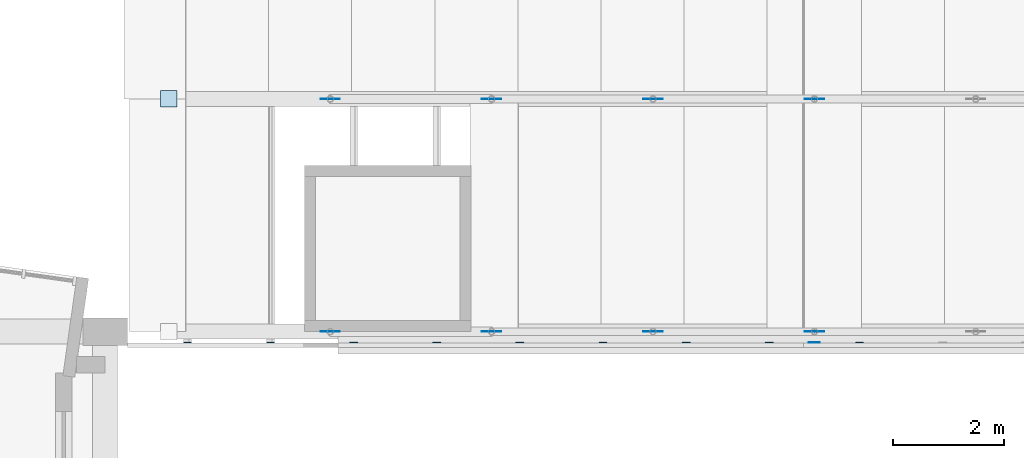
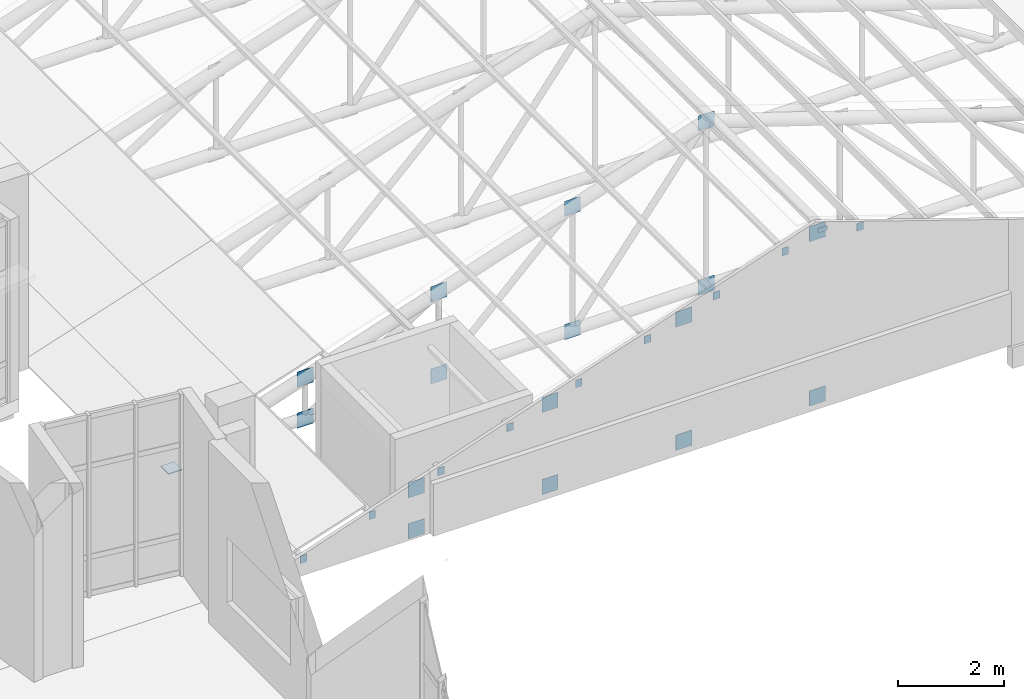
# One storey, part 74 of 95: 27 plates.
"""IFC4 building model written with IfcOpenShell, lengths in metres."""

from ifc_helpers import new_model, si_unit, direction, frame, origin, origin_2d, place, context, subcontext, project, spatial, rectangle, extrude, material, layer, layer_set, type_object, element, save


model = new_model("IFC4")

# Units and contexts
model_context = context("Model", 3, precision=1e-05, world=origin(), true_north=direction((0.0, 1.0)))
body_context = subcontext(model_context, "Body", "Model", "MODEL_VIEW")
ifc_project = project(units=[si_unit("LENGTHUNIT", "METRE"), si_unit("AREAUNIT", "SQUARE_METRE"), si_unit("VOLUMEUNIT", "CUBIC_METRE"), si_unit("PLANEANGLEUNIT", "RADIAN"), si_unit("MASSUNIT", "GRAM", prefix="KILO")], contexts=[model_context])

# Site, building, storey
site_placement = place(None, origin())
site = spatial("IfcSite", under=ifc_project, at=site_placement, CompositionType="ELEMENT")
building_placement = place(site_placement, origin())
building = spatial("IfcBuilding", under=site, at=building_placement, Name="Kiln Court Media Centre", CompositionType="ELEMENT")
storey_placement = place(building_placement, frame((0.0, 0.0, 24.60009765625)))
storey = spatial("IfcBuildingStorey", under=building, at=storey_placement, Name="L05", CompositionType="ELEMENT", Elevation=24.60009765625)

# Plates
ifc_material_1 = material(Name="Steel ASTM A572 Gr 50", Category="steel")
ifc_layer_1 = layer(ifc_material_1, 0.011962890625)
ifc_layer_set_1 = layer_set([ifc_layer_1], Name="Steel ASTM A572 Gr 50 141x12x174 connection plate")
plate_type_1 = type_object("IfcPlateType", Name="Steel ASTM A572 Gr 50 141x12x174 connection plate", PredefinedType="USERDEFINED", material=ifc_layer_set_1)
for number, where, z_axis, x_axis, name in (
    (1, (35.085205078125, 25.00146484375, 0.228515625), (0.0, 0.0, 1.0), (1.0, 0.0, 0.0), "foyer roof west purlin 1 south end connection plate"),
    (2, (36.585205078125, 25.00146484375, 0.7158203125), (0.0, 0.0, 1.0), (1.0, 0.0, 0.0), "foyer roof west purlin 2 south end connection plate"),
    (3, (38.085205078125, 25.00146484375, 1.203125), (0.0, 0.0, 1.0), (1.0, 0.0, 0.0), "foyer roof west purlin 3 south end connection plate"),
    (4, (39.585205078125, 25.00146484375, 1.6904296875), (0.0, 0.0, 1.0), (1.0, 0.0, 0.0), "foyer roof west purlin 4 south end connection plate"),
    (5, (41.085205078125, 25.00146484375, 2.177734375), (0.0, 0.0, 1.0), (1.0, 0.0, 0.0), "foyer roof west purlin 5 south end connection plate"),
    (6, (42.585205078125, 25.00146484375, 2.6650390625), (0.0, 0.0, 1.0), (1.0, 0.0, 0.0), "foyer roof west purlin 6 south end connection plate"),
    (7, (44.085205078125, 25.00146484375, 3.15234375), (0.0, 0.0, 1.0), (1.0, 0.0, 0.0), "foyer roof west purlin 7 south end connection plate"),
    (8, (45.585205078125, 25.00146484375, 3.64013671875), (0.0, 0.0, 1.0), (1.0, 0.0, 0.0), "foyer roof west purlin 8 south end connection plate"),
    (9, (47.214599609375, 25.00146484375, 3.64013671875), (0.0, 0.0, 1.0), (1.0, 0.0, 0.0), "foyer roof east purlin 8 south end connection plate"),
):
    element("IfcPlate", number, at=place(storey_placement, frame(where, z_axis=z_axis, x_axis=x_axis)), inside=storey, type_object=plate_type_1, Name=name, ObjectType="CONNECTION PLATE", PredefinedType="USERDEFINED", context=body_context, shape_type="SweptSolid", body=[
        extrude(rectangle(XDim=0.14111328125, YDim=0.011962890625, at=origin_2d()), origin(), (0.0, 0.0, 1.0), 0.174072265625),
    ])
ifc_material_2 = material(Name="Steel ASTM A572 Gr 50", Category="steel")
ifc_layer_2 = layer(ifc_material_2, 0.011962890625)
ifc_layer_set_2 = layer_set([ifc_layer_2], Name="Steel ASTM A572 Gr 50 200x12x100 connection plate")
plate_type_2 = type_object("IfcPlateType", Name="Steel ASTM A572 Gr 50 200x12x100 connection plate", PredefinedType="USERDEFINED", material=ifc_layer_set_2)
plate_1_placement = place(storey_placement, frame((46.39990234375, 25.00146484375, 3.899169921875), z_axis=(0.0, 0.0, 1.0), x_axis=(1.0, 0.0, 0.0)))
element("IfcPlate", 10, at=plate_1_placement, inside=storey, type_object=plate_type_2, Name="foyer roof ridge purlin south end connection plate", ObjectType="CONNECTION PLATE", PredefinedType="USERDEFINED", context=body_context, shape_type="SweptSolid", body=[
    extrude(rectangle(XDim=0.199951171875, YDim=0.011962890625, at=origin_2d()), origin(), (0.0, 0.0, 1.0), 0.10009765625),
])
ifc_material_3 = material(Name="Steel ASTM A572 Gr 50", Category="steel")
ifc_layer_3 = layer(ifc_material_3, 0.01611328125)
ifc_layer_set_3 = layer_set([ifc_layer_3], Name="Steel ASTM A572 Gr 50 300x300x16 connection plate")
plate_type_3 = type_object("IfcPlateType", Name="Steel ASTM A572 Gr 50 300x300x16 connection plate", PredefinedType="USERDEFINED", material=ifc_layer_set_3)
plate_2_placement = place(storey_placement, frame((34.75, 29.39990234375, -0.152099609375), z_axis=(0.0, 0.0, 1.0), x_axis=(1.0, 0.0, 0.0)))
element("IfcPlate", 11, at=plate_2_placement, inside=storey, type_object=plate_type_3, Name="foyer truss FT-02 west bearing connection plate", ObjectType="CONNECTION PLATE", PredefinedType="USERDEFINED", context=body_context, shape_type="SweptSolid", body=[
    extrude(rectangle(XDim=0.300048828125, YDim=0.300048828125, at=origin_2d()), origin(), (0.0, 0.0, 1.0), 0.01611328125),
])
ifc_material_4 = material(Name="Steel ASTM A572 Gr 50", Category="steel")
ifc_layer_4 = layer(ifc_material_4, 0.010009765625)
ifc_layer_set_4 = layer_set([ifc_layer_4], Name="Steel ASTM A572 Gr 50 350x350x10 connection plate FT")
plate_type_4 = type_object("IfcPlateType", Name="Steel ASTM A572 Gr 50 350x350x10 connection plate FT", PredefinedType="USERDEFINED", material=ifc_layer_set_4)
for number, where, z_axis, x_axis, name in (
    (12, (37.66259765625, 25.199951171875, -0.18896484375), (0.0, 0.0, 1.0), (1.0, 0.0, 0.0), "FT node connection plate"),
    (13, (37.66259765625, 25.199951171875, 0.757568359375), (0.0, 0.0, 1.0), (1.0, 0.0, 0.0), "FT node connection plate"),
    (14, (37.66259765625, 29.39990234375, -0.18896484375), (0.0, 0.0, 1.0), (1.0, 0.0, 0.0), "FT node connection plate"),
    (15, (37.66259765625, 29.39990234375, 0.757568359375), (0.0, 0.0, 1.0), (1.0, 0.0, 0.0), "FT node connection plate"),
    (16, (40.574951171875, 25.199951171875, -0.18896484375), (0.0, 0.0, 1.0), (1.0, 0.0, 0.0), "FT node connection plate"),
    (17, (40.574951171875, 25.199951171875, 1.703857421875), (0.0, 0.0, 1.0), (1.0, 0.0, 0.0), "FT node connection plate"),
    (18, (40.574951171875, 29.39990234375, -0.18896484375), (0.0, 0.0, 1.0), (1.0, 0.0, 0.0), "FT node connection plate"),
    (19, (40.574951171875, 29.39990234375, 1.703857421875), (0.0, 0.0, 1.0), (1.0, 0.0, 0.0), "FT node connection plate"),
    (20, (43.487548828125, 25.199951171875, -0.18896484375), (0.0, 0.0, 1.0), (1.0, 0.0, 0.0), "FT node connection plate"),
    (21, (43.487548828125, 25.199951171875, 2.650146484375), (0.0, 0.0, 1.0), (1.0, 0.0, 0.0), "FT node connection plate"),
    (22, (43.487548828125, 29.39990234375, -0.18896484375), (0.0, 0.0, 1.0), (1.0, 0.0, 0.0), "FT node connection plate"),
    (23, (43.487548828125, 29.39990234375, 2.650146484375), (0.0, 0.0, 1.0), (1.0, 0.0, 0.0), "FT node connection plate"),
    (24, (46.39990234375, 25.199951171875, -0.18896484375), (0.0, 0.0, 1.0), (1.0, 0.0, 0.0), "FT node connection plate"),
    (25, (46.39990234375, 25.199951171875, 3.596435546875), (0.0, 0.0, 1.0), (1.0, 0.0, 0.0), "FT node connection plate"),
    (26, (46.39990234375, 29.39990234375, -0.18896484375), (0.0, 0.0, 1.0), (1.0, 0.0, 0.0), "FT node connection plate"),
    (27, (46.39990234375, 29.39990234375, 3.596435546875), (0.0, 0.0, 1.0), (1.0, 0.0, 0.0), "FT node connection plate"),
):
    element("IfcPlate", number, at=place(storey_placement, frame(where, z_axis=z_axis, x_axis=x_axis)), inside=storey, type_object=plate_type_4, Name=name, ObjectType="CONNECTION PLATE", PredefinedType="USERDEFINED", context=body_context, shape_type="SweptSolid", body=[
        extrude(rectangle(XDim=0.35009765625, YDim=0.010009765625, at=origin_2d()), origin(), (0.0, 0.0, 1.0), 0.35009765625),
    ])

save(model, "model.ifc")
